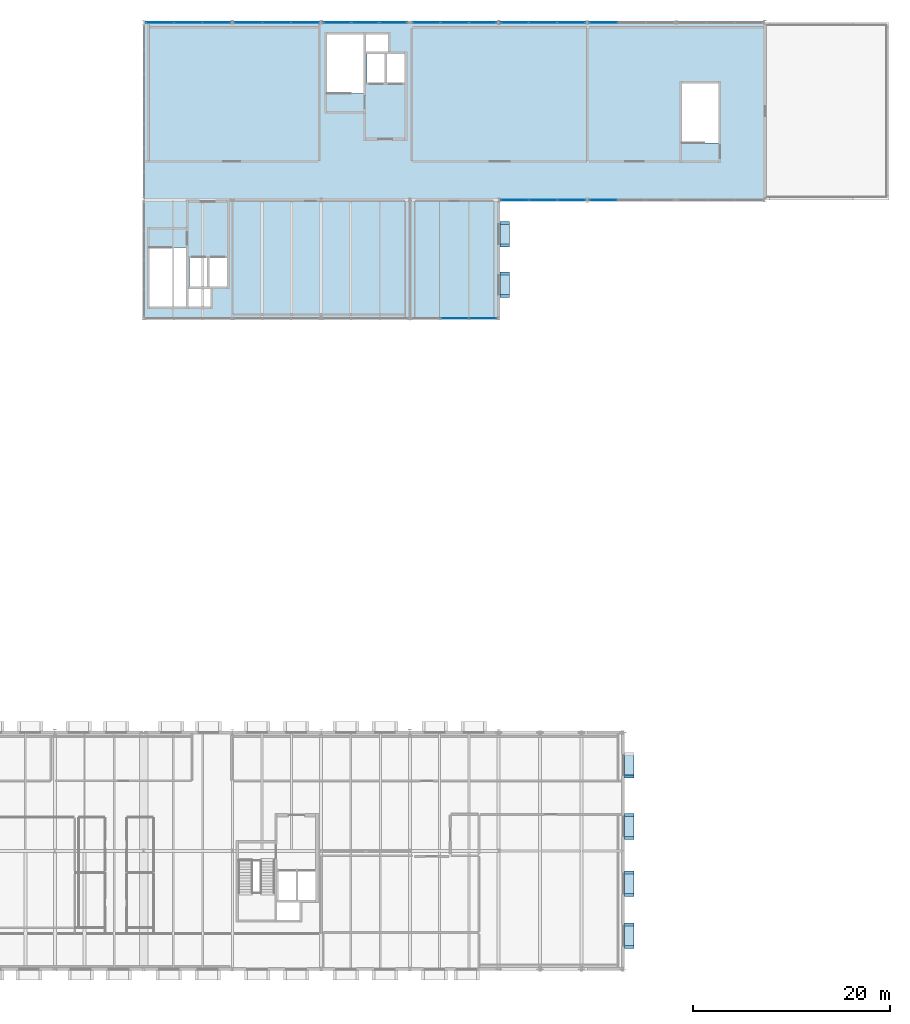
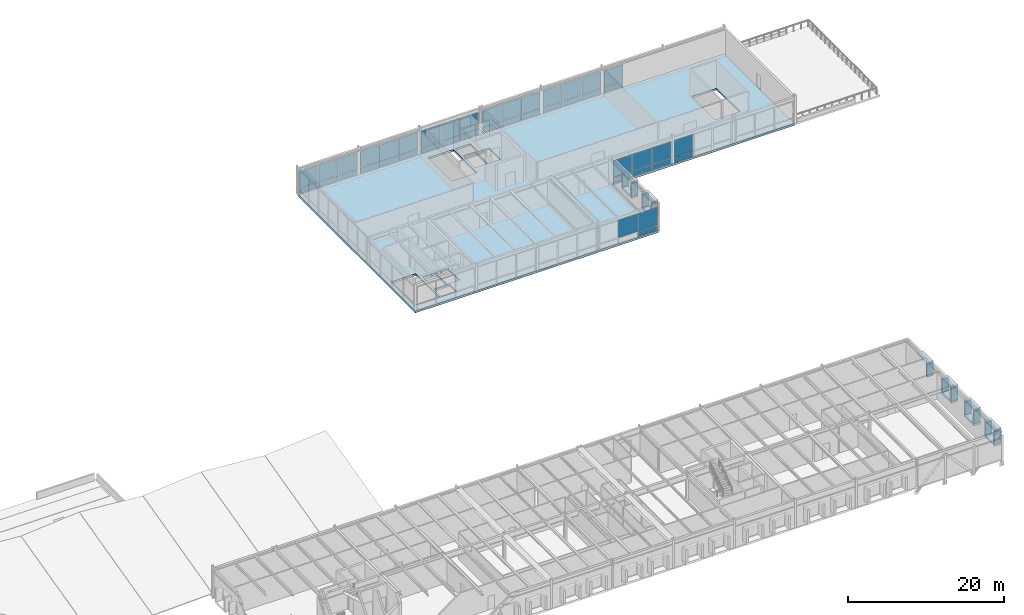
# One storey, part 44 of 67: 65 plates, 1 slab, 9 elements without a shape of their own.
"""IFC4 building model written with IfcOpenShell, lengths in metres."""

from ifc_helpers import new_model, si_unit, direction, frame, origin, origin_2d, place, context, subcontext, project, spatial, polyline, rectangle, outline, extrude, material, layer, layer_set, type_object, element, aggregate, save


model = new_model("IFC4")

# Units and contexts
model_context = context("Model", 3, precision=1e-05, world=origin(), true_north=direction((0.0, 1.0)))
body_context = subcontext(model_context, "Body", "Model", "MODEL_VIEW")
ifc_project = project(units=[si_unit("LENGTHUNIT", "METRE"), si_unit("AREAUNIT", "SQUARE_METRE"), si_unit("VOLUMEUNIT", "CUBIC_METRE"), si_unit("PLANEANGLEUNIT", "RADIAN"), si_unit("MASSUNIT", "GRAM", prefix="KILO")], contexts=[model_context])

# Site, building, storey
site_placement = place(None, origin())
site = spatial("IfcSite", under=ifc_project, at=site_placement, CompositionType="ELEMENT")
building_placement = place(site_placement, origin())
building = spatial("IfcBuilding", under=site, at=building_placement, Name="Montelvaro Courts of Justice", CompositionType="ELEMENT")
storey_placement = place(building_placement, frame((0.0, 0.0, 18.89990234375)))
storey = spatial("IfcBuildingStorey", under=building, at=storey_placement, Name="L04", CompositionType="ELEMENT", Elevation=18.89990234375)

# Curtain wall, plates
ifc_material_1 = material(Name="Anodised aluminium EN AW-6063", Category="aluminium")
ifc_layer_1 = layer(ifc_material_1, 0.159912109375)
ifc_layer_set_1 = layer_set([ifc_layer_1], Name="Anodised aluminium EN AW-6063")
curtain_wall_type_1 = type_object("IfcCurtainWallType", Name="CurtainWall_18_868x418", PredefinedType="USERDEFINED", material=ifc_layer_set_1)
curtain_wall_1_placement = place(storey_placement, origin())
curtain_wall_1 = element("IfcCurtainWall", 1, at=curtain_wall_1_placement, inside=storey, type_object=curtain_wall_type_1, Name="Curtain Wall CW-18 (L04)", ObjectType="CURTAIN WALL", PredefinedType="USERDEFINED")
ifc_material_2 = material(Name="Low-E solar control double glazing", Category="glass")
ifc_layer_2 = layer(ifc_material_2, 0.028076171875)
ifc_layer_set_2 = layer_set([ifc_layer_2], Name="Low-E solar control double glazing")
plate_type_1 = type_object("IfcPlateType", Name="CurtainWall_Glazed_Panel_28", PredefinedType="CURTAIN_PANEL", material=ifc_layer_set_2)
plate_1_placement = place(storey_placement, frame((130.5, 66.0, 0.987548828125), z_axis=(0.0, 0.0, 1.0), x_axis=(1.0, 0.0, 0.0)))
plate_1 = element("IfcPlate", 2, at=plate_1_placement, type_object=plate_type_1, Name="CW-18 panel 2.2", PredefinedType="CURTAIN_PANEL", context=body_context, shape_type="SweptSolid", body=[
    extrude(rectangle(XDim=2.83837890625, YDim=0.028076171875, at=origin_2d()), origin(), (0.0, 0.0, 1.0), 2.6923828125),
])
plate_2_placement = place(storey_placement, frame((133.386962890625, 66.0, 0.0751953125), z_axis=(0.0, 0.0, 1.0), x_axis=(1.0, 0.0, 0.0)))
plate_2 = element("IfcPlate", 3, at=plate_2_placement, type_object=plate_type_1, Name="CW-18 panel 3.1", PredefinedType="CURTAIN_PANEL", context=body_context, shape_type="SweptSolid", body=[
    extrude(rectangle(XDim=2.805908203125, YDim=0.028076171875, at=origin_2d()), origin(), (0.0, 0.0, 1.0), 0.83740234375),
])
plate_3_placement = place(storey_placement, frame((133.386962890625, 66.0, 0.987548828125), z_axis=(0.0, 0.0, 1.0), x_axis=(1.0, 0.0, 0.0)))
plate_3 = element("IfcPlate", 4, at=plate_3_placement, type_object=plate_type_1, Name="CW-18 panel 3.2", PredefinedType="CURTAIN_PANEL", context=body_context, shape_type="SweptSolid", body=[
    extrude(rectangle(XDim=2.805908203125, YDim=0.028076171875, at=origin_2d()), origin(), (0.0, 0.0, 1.0), 2.6923828125),
])
aggregate(curtain_wall_1, [plate_1, plate_2, plate_3])

ifc_layer_3 = layer(ifc_material_1, 0.159912109375)
ifc_layer_set_3 = layer_set([ifc_layer_3], Name="Anodised aluminium EN AW-6063")
curtain_wall_type_2 = type_object("IfcCurtainWallType", Name="CurtainWall_14_867x418", PredefinedType="USERDEFINED", material=ifc_layer_set_3)
curtain_wall_2_placement = place(storey_placement, origin())
curtain_wall_2 = element("IfcCurtainWall", 5, at=curtain_wall_2_placement, inside=storey, type_object=curtain_wall_type_2, Name="Curtain Wall CW-14 (L04)", ObjectType="CURTAIN WALL", PredefinedType="USERDEFINED")
plate_4_placement = place(storey_placement, frame((136.628662109375, 78.0, 0.0751953125), z_axis=(0.0, 0.0, 1.0), x_axis=(1.0, 0.0, 0.0)))
plate_4 = element("IfcPlate", 6, at=plate_4_placement, type_object=plate_type_1, Name="CW-14 panel 1.1", PredefinedType="CURTAIN_PANEL", context=body_context, shape_type="SweptSolid", body=[
    extrude(rectangle(XDim=2.777587890625, YDim=0.028076171875, at=origin_2d()), origin(), (0.0, 0.0, 1.0), 0.83740234375),
])
plate_5_placement = place(storey_placement, frame((136.628662109375, 78.0, 0.98779296875), z_axis=(0.0, 0.0, 1.0), x_axis=(1.0, 0.0, 0.0)))
plate_5 = element("IfcPlate", 7, at=plate_5_placement, type_object=plate_type_1, Name="CW-14 panel 1.2", PredefinedType="CURTAIN_PANEL", context=body_context, shape_type="SweptSolid", body=[
    extrude(rectangle(XDim=2.777587890625, YDim=0.028076171875, at=origin_2d()), origin(), (0.0, 0.0, 1.0), 2.532470703125),
])
plate_6_placement = place(storey_placement, frame((139.5, 78.0, 0.0751953125), z_axis=(0.0, 0.0, 1.0), x_axis=(1.0, 0.0, 0.0)))
plate_6 = element("IfcPlate", 8, at=plate_6_placement, type_object=plate_type_1, Name="CW-14 panel 2.1", PredefinedType="CURTAIN_PANEL", context=body_context, shape_type="SweptSolid", body=[
    extrude(rectangle(XDim=2.81494140625, YDim=0.028076171875, at=origin_2d()), origin(), (0.0, 0.0, 1.0), 0.83740234375),
])
plate_7_placement = place(storey_placement, frame((139.5, 78.0, 0.98779296875), z_axis=(0.0, 0.0, 1.0), x_axis=(1.0, 0.0, 0.0)))
plate_7 = element("IfcPlate", 9, at=plate_7_placement, type_object=plate_type_1, Name="CW-14 panel 2.2", PredefinedType="CURTAIN_PANEL", context=body_context, shape_type="SweptSolid", body=[
    extrude(rectangle(XDim=2.81494140625, YDim=0.028076171875, at=origin_2d()), origin(), (0.0, 0.0, 1.0), 2.532470703125),
])
plate_8_placement = place(storey_placement, frame((142.371337890625, 78.0, 0.0751953125), z_axis=(0.0, 0.0, 1.0), x_axis=(1.0, 0.0, 0.0)))
plate_8 = element("IfcPlate", 10, at=plate_8_placement, type_object=plate_type_1, Name="CW-14 panel 3.1", PredefinedType="CURTAIN_PANEL", context=body_context, shape_type="SweptSolid", body=[
    extrude(rectangle(XDim=2.777587890625, YDim=0.028076171875, at=origin_2d()), origin(), (0.0, 0.0, 1.0), 0.83740234375),
])
plate_9_placement = place(storey_placement, frame((142.371337890625, 78.0, 0.98779296875), z_axis=(0.0, 0.0, 1.0), x_axis=(1.0, 0.0, 0.0)))
plate_9 = element("IfcPlate", 11, at=plate_9_placement, type_object=plate_type_1, Name="CW-14 panel 3.2", PredefinedType="CURTAIN_PANEL", context=body_context, shape_type="SweptSolid", body=[
    extrude(rectangle(XDim=2.777587890625, YDim=0.028076171875, at=origin_2d()), origin(), (0.0, 0.0, 1.0), 2.532470703125),
])
aggregate(curtain_wall_2, [plate_4, plate_5, plate_6, plate_7, plate_8, plate_9])

ifc_layer_4 = layer(ifc_material_1, 0.159912109375)
ifc_layer_set_4 = layer_set([ifc_layer_4], Name="Anodised aluminium EN AW-6063")
curtain_wall_type_3 = type_object("IfcCurtainWallType", Name="CurtainWall_13_857x418", PredefinedType="USERDEFINED", material=ifc_layer_set_4)
curtain_wall_3_placement = place(storey_placement, origin())
curtain_wall_3 = element("IfcCurtainWall", 12, at=curtain_wall_3_placement, inside=storey, type_object=curtain_wall_type_3, Name="Curtain Wall CW-13 (L04)", ObjectType="CURTAIN WALL", PredefinedType="USERDEFINED")
plate_10_placement = place(storey_placement, frame((145.612060546875, 78.0, 0.06005859375), z_axis=(0.0, 0.0, 1.0), x_axis=(1.0, 0.0, 0.0)))
plate_10 = element("IfcPlate", 13, at=plate_10_placement, type_object=plate_type_1, Name="CW-13 panel 1.1", PredefinedType="CURTAIN_PANEL", context=body_context, shape_type="SweptSolid", body=[
    extrude(rectangle(XDim=2.744140625, YDim=0.028076171875, at=origin_2d()), origin(), (0.0, 0.0, 1.0), 0.860107421875),
])
plate_11_placement = place(storey_placement, frame((145.612060546875, 78.0, 0.97998046875), z_axis=(0.0, 0.0, 1.0), x_axis=(1.0, 0.0, 0.0)))
plate_11 = element("IfcPlate", 14, at=plate_11_placement, type_object=plate_type_1, Name="CW-13 panel 1.2", PredefinedType="CURTAIN_PANEL", context=body_context, shape_type="SweptSolid", body=[
    extrude(rectangle(XDim=2.744140625, YDim=0.028076171875, at=origin_2d()), origin(), (0.0, 0.0, 1.0), 2.554931640625),
])
aggregate(curtain_wall_3, [plate_10, plate_11])

curtain_wall_4_placement = place(storey_placement, origin())
curtain_wall_4 = element("IfcCurtainWall", 15, at=curtain_wall_4_placement, inside=storey, type_object=curtain_wall_type_2, Name="Curtain Wall CW-14 (L04)", ObjectType="CURTAIN WALL", PredefinedType="USERDEFINED")
plate_12_placement = place(storey_placement, frame((145.625, 96.0, 0.0751953125), z_axis=(0.0, 0.0, 1.0), x_axis=(-1.0, 0.0, 0.0)))
plate_12 = element("IfcPlate", 16, at=plate_12_placement, type_object=plate_type_1, Name="CW-14 panel 3.1", PredefinedType="CURTAIN_PANEL", context=body_context, shape_type="SweptSolid", body=[
    extrude(rectangle(XDim=2.800048828125, YDim=0.028076171875, at=origin_2d()), origin(), (0.0, 0.0, 1.0), 0.83740234375),
])
plate_13_placement = place(storey_placement, frame((145.625, 96.0, 0.98779296875), z_axis=(0.0, 0.0, 1.0), x_axis=(-1.0, 0.0, 0.0)))
plate_13 = element("IfcPlate", 17, at=plate_13_placement, type_object=plate_type_1, Name="CW-14 panel 3.2", PredefinedType="CURTAIN_PANEL", context=body_context, shape_type="SweptSolid", body=[
    extrude(rectangle(XDim=2.800048828125, YDim=0.028076171875, at=origin_2d()), origin(), (0.0, 0.0, 1.0), 2.532470703125),
])
aggregate(curtain_wall_4, [plate_12, plate_13])

curtain_wall_5_placement = place(storey_placement, origin())
curtain_wall_5 = element("IfcCurtainWall", 18, at=curtain_wall_5_placement, inside=storey, type_object=curtain_wall_type_2, Name="Curtain Wall CW-14 (L04)", ObjectType="CURTAIN WALL", PredefinedType="USERDEFINED")
plate_14_placement = place(storey_placement, frame((142.373779296875, 96.0, 0.0751953125), z_axis=(0.0, 0.0, 1.0), x_axis=(-1.0, 0.0, 0.0)))
plate_14 = element("IfcPlate", 19, at=plate_14_placement, type_object=plate_type_1, Name="CW-14 panel 1.1", PredefinedType="CURTAIN_PANEL", context=body_context, shape_type="SweptSolid", body=[
    extrude(rectangle(XDim=2.79248046875, YDim=0.028076171875, at=origin_2d()), origin(), (0.0, 0.0, 1.0), 0.83740234375),
])
plate_15_placement = place(storey_placement, frame((142.373779296875, 96.0, 0.98779296875), z_axis=(0.0, 0.0, 1.0), x_axis=(-1.0, 0.0, 0.0)))
plate_15 = element("IfcPlate", 20, at=plate_15_placement, type_object=plate_type_1, Name="CW-14 panel 1.2", PredefinedType="CURTAIN_PANEL", context=body_context, shape_type="SweptSolid", body=[
    extrude(rectangle(XDim=2.79248046875, YDim=0.028076171875, at=origin_2d()), origin(), (0.0, 0.0, 1.0), 2.532470703125),
])
plate_16_placement = place(storey_placement, frame((139.5, 96.0, 0.0751953125), z_axis=(0.0, 0.0, 1.0), x_axis=(-1.0, 0.0, 0.0)))
plate_16 = element("IfcPlate", 21, at=plate_16_placement, type_object=plate_type_1, Name="CW-14 panel 2.1", PredefinedType="CURTAIN_PANEL", context=body_context, shape_type="SweptSolid", body=[
    extrude(rectangle(XDim=2.824951171875, YDim=0.028076171875, at=origin_2d()), origin(), (0.0, 0.0, 1.0), 0.83740234375),
])
plate_17_placement = place(storey_placement, frame((139.5, 96.0, 0.98779296875), z_axis=(0.0, 0.0, 1.0), x_axis=(-1.0, 0.0, 0.0)))
plate_17 = element("IfcPlate", 22, at=plate_17_placement, type_object=plate_type_1, Name="CW-14 panel 2.2", PredefinedType="CURTAIN_PANEL", context=body_context, shape_type="SweptSolid", body=[
    extrude(rectangle(XDim=2.824951171875, YDim=0.028076171875, at=origin_2d()), origin(), (0.0, 0.0, 1.0), 2.532470703125),
])
plate_18_placement = place(storey_placement, frame((136.626220703125, 96.0, 0.0751953125), z_axis=(0.0, 0.0, 1.0), x_axis=(-1.0, 0.0, 0.0)))
plate_18 = element("IfcPlate", 23, at=plate_18_placement, type_object=plate_type_1, Name="CW-14 panel 3.1", PredefinedType="CURTAIN_PANEL", context=body_context, shape_type="SweptSolid", body=[
    extrude(rectangle(XDim=2.79248046875, YDim=0.028076171875, at=origin_2d()), origin(), (0.0, 0.0, 1.0), 0.83740234375),
])
plate_19_placement = place(storey_placement, frame((136.626220703125, 96.0, 0.98779296875), z_axis=(0.0, 0.0, 1.0), x_axis=(-1.0, 0.0, 0.0)))
plate_19 = element("IfcPlate", 24, at=plate_19_placement, type_object=plate_type_1, Name="CW-14 panel 3.2", PredefinedType="CURTAIN_PANEL", context=body_context, shape_type="SweptSolid", body=[
    extrude(rectangle(XDim=2.79248046875, YDim=0.028076171875, at=origin_2d()), origin(), (0.0, 0.0, 1.0), 2.532470703125),
])
aggregate(curtain_wall_5, [plate_14, plate_15, plate_16, plate_17, plate_18, plate_19])

ifc_layer_5 = layer(ifc_material_1, 0.159912109375)
ifc_layer_set_5 = layer_set([ifc_layer_5], Name="Anodised aluminium EN AW-6063")
curtain_wall_type_4 = type_object("IfcCurtainWallType", Name="CurtainWall_17_861x418", PredefinedType="USERDEFINED", material=ifc_layer_set_5)
curtain_wall_6_placement = place(storey_placement, origin())
curtain_wall_6 = element("IfcCurtainWall", 25, at=curtain_wall_6_placement, inside=storey, type_object=curtain_wall_type_4, Name="Curtain Wall CW-17 (L04)", ObjectType="CURTAIN WALL", PredefinedType="USERDEFINED")
plate_20_placement = place(storey_placement, frame((133.3837890625, 96.0, 0.06005859375), z_axis=(0.0, 0.0, 1.0), x_axis=(-1.0, 0.0, 0.0)))
plate_20 = element("IfcPlate", 26, at=plate_20_placement, type_object=plate_type_1, Name="CW-17 panel 1.1", PredefinedType="CURTAIN_PANEL", context=body_context, shape_type="SweptSolid", body=[
    extrude(rectangle(XDim=2.75244140625, YDim=0.028076171875, at=origin_2d()), origin(), (0.0, 0.0, 1.0), 0.860107421875),
])
plate_21_placement = place(storey_placement, frame((133.3837890625, 96.0, 0.97998046875), z_axis=(0.0, 0.0, 1.0), x_axis=(-1.0, 0.0, 0.0)))
plate_21 = element("IfcPlate", 27, at=plate_21_placement, type_object=plate_type_1, Name="CW-17 panel 1.2", PredefinedType="CURTAIN_PANEL", context=body_context, shape_type="SweptSolid", body=[
    extrude(rectangle(XDim=2.75244140625, YDim=0.028076171875, at=origin_2d()), origin(), (0.0, 0.0, 1.0), 2.554931640625),
])
plate_22_placement = place(storey_placement, frame((130.53759765625, 96.0, 0.06005859375), z_axis=(0.0, 0.0, 1.0), x_axis=(-1.0, 0.0, 0.0)))
plate_22 = element("IfcPlate", 28, at=plate_22_placement, type_object=plate_type_1, Name="CW-17 panel 2.1", PredefinedType="CURTAIN_PANEL", context=body_context, shape_type="SweptSolid", body=[
    extrude(rectangle(XDim=2.7900390625, YDim=0.028076171875, at=origin_2d()), origin(), (0.0, 0.0, 1.0), 0.860107421875),
])
plate_23_placement = place(storey_placement, frame((130.53759765625, 96.0, 0.97998046875), z_axis=(0.0, 0.0, 1.0), x_axis=(-1.0, 0.0, 0.0)))
plate_23 = element("IfcPlate", 29, at=plate_23_placement, type_object=plate_type_1, Name="CW-17 panel 2.2", PredefinedType="CURTAIN_PANEL", context=body_context, shape_type="SweptSolid", body=[
    extrude(rectangle(XDim=2.7900390625, YDim=0.028076171875, at=origin_2d()), origin(), (0.0, 0.0, 1.0), 2.554931640625),
])
plate_24_placement = place(storey_placement, frame((127.691162109375, 96.0, 0.06005859375), z_axis=(0.0, 0.0, 1.0), x_axis=(-1.0, 0.0, 0.0)))
plate_24 = element("IfcPlate", 30, at=plate_24_placement, type_object=plate_type_1, Name="CW-17 panel 3.1", PredefinedType="CURTAIN_PANEL", context=body_context, shape_type="SweptSolid", body=[
    extrude(rectangle(XDim=2.75244140625, YDim=0.028076171875, at=origin_2d()), origin(), (0.0, 0.0, 1.0), 0.860107421875),
])
plate_25_placement = place(storey_placement, frame((127.691162109375, 96.0, 0.97998046875), z_axis=(0.0, 0.0, 1.0), x_axis=(-1.0, 0.0, 0.0)))
plate_25 = element("IfcPlate", 31, at=plate_25_placement, type_object=plate_type_1, Name="CW-17 panel 3.2", PredefinedType="CURTAIN_PANEL", context=body_context, shape_type="SweptSolid", body=[
    extrude(rectangle(XDim=2.75244140625, YDim=0.028076171875, at=origin_2d()), origin(), (0.0, 0.0, 1.0), 2.554931640625),
])
aggregate(curtain_wall_6, [plate_20, plate_21, plate_22, plate_23, plate_24, plate_25])

curtain_wall_7_placement = place(storey_placement, origin())
curtain_wall_7 = element("IfcCurtainWall", 32, at=curtain_wall_7_placement, inside=storey, type_object=curtain_wall_type_4, Name="Curtain Wall CW-17 (L04)", ObjectType="CURTAIN WALL", PredefinedType="USERDEFINED")
plate_26_placement = place(storey_placement, frame((124.308837890625, 96.0, 0.06005859375), z_axis=(0.0, 0.0, 1.0), x_axis=(-1.0, 0.0, 0.0)))
plate_26 = element("IfcPlate", 33, at=plate_26_placement, type_object=plate_type_1, Name="CW-17 panel 1.1", PredefinedType="CURTAIN_PANEL", context=body_context, shape_type="SweptSolid", body=[
    extrude(rectangle(XDim=2.75244140625, YDim=0.028076171875, at=origin_2d()), origin(), (0.0, 0.0, 1.0), 0.860107421875),
])
plate_27_placement = place(storey_placement, frame((124.308837890625, 96.0, 0.97998046875), z_axis=(0.0, 0.0, 1.0), x_axis=(-1.0, 0.0, 0.0)))
plate_27 = element("IfcPlate", 34, at=plate_27_placement, type_object=plate_type_1, Name="CW-17 panel 1.2", PredefinedType="CURTAIN_PANEL", context=body_context, shape_type="SweptSolid", body=[
    extrude(rectangle(XDim=2.75244140625, YDim=0.028076171875, at=origin_2d()), origin(), (0.0, 0.0, 1.0), 2.554931640625),
])
plate_28_placement = place(storey_placement, frame((121.46240234375, 96.0, 0.06005859375), z_axis=(0.0, 0.0, 1.0), x_axis=(-1.0, 0.0, 0.0)))
plate_28 = element("IfcPlate", 35, at=plate_28_placement, type_object=plate_type_1, Name="CW-17 panel 2.1", PredefinedType="CURTAIN_PANEL", context=body_context, shape_type="SweptSolid", body=[
    extrude(rectangle(XDim=2.7900390625, YDim=0.028076171875, at=origin_2d()), origin(), (0.0, 0.0, 1.0), 0.860107421875),
])
plate_29_placement = place(storey_placement, frame((121.46240234375, 96.0, 0.97998046875), z_axis=(0.0, 0.0, 1.0), x_axis=(-1.0, 0.0, 0.0)))
plate_29 = element("IfcPlate", 36, at=plate_29_placement, type_object=plate_type_1, Name="CW-17 panel 2.2", PredefinedType="CURTAIN_PANEL", context=body_context, shape_type="SweptSolid", body=[
    extrude(rectangle(XDim=2.7900390625, YDim=0.028076171875, at=origin_2d()), origin(), (0.0, 0.0, 1.0), 2.554931640625),
])
plate_30_placement = place(storey_placement, frame((118.6162109375, 96.0, 0.06005859375), z_axis=(0.0, 0.0, 1.0), x_axis=(-1.0, 0.0, 0.0)))
plate_30 = element("IfcPlate", 37, at=plate_30_placement, type_object=plate_type_1, Name="CW-17 panel 3.1", PredefinedType="CURTAIN_PANEL", context=body_context, shape_type="SweptSolid", body=[
    extrude(rectangle(XDim=2.75244140625, YDim=0.028076171875, at=origin_2d()), origin(), (0.0, 0.0, 1.0), 0.860107421875),
])
plate_31_placement = place(storey_placement, frame((118.6162109375, 96.0, 0.97998046875), z_axis=(0.0, 0.0, 1.0), x_axis=(-1.0, 0.0, 0.0)))
plate_31 = element("IfcPlate", 38, at=plate_31_placement, type_object=plate_type_1, Name="CW-17 panel 3.2", PredefinedType="CURTAIN_PANEL", context=body_context, shape_type="SweptSolid", body=[
    extrude(rectangle(XDim=2.75244140625, YDim=0.028076171875, at=origin_2d()), origin(), (0.0, 0.0, 1.0), 2.554931640625),
])
aggregate(curtain_wall_7, [plate_26, plate_27, plate_28, plate_29, plate_30, plate_31])

curtain_wall_8_placement = place(storey_placement, origin())
curtain_wall_8 = element("IfcCurtainWall", 39, at=curtain_wall_8_placement, inside=storey, type_object=curtain_wall_type_2, Name="Curtain Wall CW-14 (L04)", ObjectType="CURTAIN WALL", PredefinedType="USERDEFINED")
plate_32_placement = place(storey_placement, frame((115.375, 96.0, 0.06005859375), z_axis=(0.0, 0.0, 1.0), x_axis=(-1.0, 0.0, 0.0)))
plate_32 = element("IfcPlate", 40, at=plate_32_placement, type_object=plate_type_1, Name="CW-14 panel 1.1", PredefinedType="CURTAIN_PANEL", context=body_context, shape_type="SweptSolid", body=[
    extrude(rectangle(XDim=2.800048828125, YDim=0.028076171875, at=origin_2d()), origin(), (0.0, 0.0, 1.0), 0.860107421875),
])
plate_33_placement = place(storey_placement, frame((115.375, 96.0, 0.97998046875), z_axis=(0.0, 0.0, 1.0), x_axis=(-1.0, 0.0, 0.0)))
plate_33 = element("IfcPlate", 41, at=plate_33_placement, type_object=plate_type_1, Name="CW-14 panel 1.2", PredefinedType="CURTAIN_PANEL", context=body_context, shape_type="SweptSolid", body=[
    extrude(rectangle(XDim=2.800048828125, YDim=0.028076171875, at=origin_2d()), origin(), (0.0, 0.0, 1.0), 2.554931640625),
])
plate_34_placement = place(storey_placement, frame((112.5, 96.0, 0.06005859375), z_axis=(0.0, 0.0, 1.0), x_axis=(-1.0, 0.0, 0.0)))
plate_34 = element("IfcPlate", 42, at=plate_34_placement, type_object=plate_type_1, Name="CW-14 panel 2.1", PredefinedType="CURTAIN_PANEL", context=body_context, shape_type="SweptSolid", body=[
    extrude(rectangle(XDim=2.830078125, YDim=0.028076171875, at=origin_2d()), origin(), (0.0, 0.0, 1.0), 0.860107421875),
])
plate_35_placement = place(storey_placement, frame((112.5, 96.0, 0.97998046875), z_axis=(0.0, 0.0, 1.0), x_axis=(-1.0, 0.0, 0.0)))
plate_35 = element("IfcPlate", 43, at=plate_35_placement, type_object=plate_type_1, Name="CW-14 panel 2.2", PredefinedType="CURTAIN_PANEL", context=body_context, shape_type="SweptSolid", body=[
    extrude(rectangle(XDim=2.830078125, YDim=0.028076171875, at=origin_2d()), origin(), (0.0, 0.0, 1.0), 2.554931640625),
])
plate_36_placement = place(storey_placement, frame((109.625, 96.0, 0.06005859375), z_axis=(0.0, 0.0, 1.0), x_axis=(-1.0, 0.0, 0.0)))
plate_36 = element("IfcPlate", 44, at=plate_36_placement, type_object=plate_type_1, Name="CW-14 panel 3.1", PredefinedType="CURTAIN_PANEL", context=body_context, shape_type="SweptSolid", body=[
    extrude(rectangle(XDim=2.800048828125, YDim=0.028076171875, at=origin_2d()), origin(), (0.0, 0.0, 1.0), 0.860107421875),
])
plate_37_placement = place(storey_placement, frame((109.625, 96.0, 0.97998046875), z_axis=(0.0, 0.0, 1.0), x_axis=(-1.0, 0.0, 0.0)))
plate_37 = element("IfcPlate", 45, at=plate_37_placement, type_object=plate_type_1, Name="CW-14 panel 3.2", PredefinedType="CURTAIN_PANEL", context=body_context, shape_type="SweptSolid", body=[
    extrude(rectangle(XDim=2.800048828125, YDim=0.028076171875, at=origin_2d()), origin(), (0.0, 0.0, 1.0), 2.554931640625),
])
aggregate(curtain_wall_8, [plate_32, plate_33, plate_34, plate_35, plate_36, plate_37])

curtain_wall_9_placement = place(storey_placement, origin())
curtain_wall_9 = element("IfcCurtainWall", 46, at=curtain_wall_9_placement, inside=storey, type_object=curtain_wall_type_4, Name="Curtain Wall CW-17 (L04)", ObjectType="CURTAIN WALL", PredefinedType="USERDEFINED")
plate_38_placement = place(storey_placement, frame((106.38330078125, 96.0, 0.0751953125), z_axis=(0.0, 0.0, 1.0), x_axis=(-1.0, 0.0, 0.0)))
plate_38 = element("IfcPlate", 47, at=plate_38_placement, type_object=plate_type_1, Name="CW-17 panel 1.1", PredefinedType="CURTAIN_PANEL", context=body_context, shape_type="SweptSolid", body=[
    extrude(rectangle(XDim=2.783447265625, YDim=0.028076171875, at=origin_2d()), origin(), (0.0, 0.0, 1.0), 0.83740234375),
])
plate_39_placement = place(storey_placement, frame((106.38330078125, 96.0, 0.98779296875), z_axis=(0.0, 0.0, 1.0), x_axis=(-1.0, 0.0, 0.0)))
plate_39 = element("IfcPlate", 48, at=plate_39_placement, type_object=plate_type_1, Name="CW-17 panel 1.2", PredefinedType="CURTAIN_PANEL", context=body_context, shape_type="SweptSolid", body=[
    extrude(rectangle(XDim=2.783447265625, YDim=0.028076171875, at=origin_2d()), origin(), (0.0, 0.0, 1.0), 2.532470703125),
])
plate_40_placement = place(storey_placement, frame((103.52490234375, 96.0, 0.0751953125), z_axis=(0.0, 0.0, 1.0), x_axis=(-1.0, 0.0, 0.0)))
plate_40 = element("IfcPlate", 49, at=plate_40_placement, type_object=plate_type_1, Name="CW-17 panel 2.1", PredefinedType="CURTAIN_PANEL", context=body_context, shape_type="SweptSolid", body=[
    extrude(rectangle(XDim=2.813232421875, YDim=0.028076171875, at=origin_2d()), origin(), (0.0, 0.0, 1.0), 0.83740234375),
])
plate_41_placement = place(storey_placement, frame((103.52490234375, 96.0, 0.98779296875), z_axis=(0.0, 0.0, 1.0), x_axis=(-1.0, 0.0, 0.0)))
plate_41 = element("IfcPlate", 50, at=plate_41_placement, type_object=plate_type_1, Name="CW-17 panel 2.2", PredefinedType="CURTAIN_PANEL", context=body_context, shape_type="SweptSolid", body=[
    extrude(rectangle(XDim=2.813232421875, YDim=0.028076171875, at=origin_2d()), origin(), (0.0, 0.0, 1.0), 2.532470703125),
])
plate_42_placement = place(storey_placement, frame((100.666748046875, 96.0, 0.0751953125), z_axis=(0.0, 0.0, 1.0), x_axis=(-1.0, 0.0, 0.0)))
plate_42 = element("IfcPlate", 51, at=plate_42_placement, type_object=plate_type_1, Name="CW-17 panel 3.1", PredefinedType="CURTAIN_PANEL", context=body_context, shape_type="SweptSolid", body=[
    extrude(rectangle(XDim=2.783447265625, YDim=0.028076171875, at=origin_2d()), origin(), (0.0, 0.0, 1.0), 0.83740234375),
])
plate_43_placement = place(storey_placement, frame((100.666748046875, 96.0, 0.98779296875), z_axis=(0.0, 0.0, 1.0), x_axis=(-1.0, 0.0, 0.0)))
plate_43 = element("IfcPlate", 52, at=plate_43_placement, type_object=plate_type_1, Name="CW-17 panel 3.2", PredefinedType="CURTAIN_PANEL", context=body_context, shape_type="SweptSolid", body=[
    extrude(rectangle(XDim=2.783447265625, YDim=0.028076171875, at=origin_2d()), origin(), (0.0, 0.0, 1.0), 2.532470703125),
])
aggregate(curtain_wall_9, [plate_38, plate_39, plate_40, plate_41, plate_42, plate_43])

# Slab
ifc_material_3 = material(Name="Concrete C35/45", Category="concrete")
ifc_layer_6 = layer(ifc_material_3, 0.300048828125)
ifc_layer_set_6 = layer_set([ifc_layer_6], Name="Concrete C35/45")
slab_type = type_object("IfcSlabType", Name="FloorSlab_300", PredefinedType="FLOOR", material=ifc_layer_set_6)
slab_placement = place(storey_placement, frame((0.0, 0.0, -0.2998046875)))
element("IfcSlab", 53, at=slab_placement, inside=storey, type_object=slab_type, Name="Structural Slab SF-02 L04", PredefinedType="FLOOR", context=body_context, shape_type="SweptSolid", body=[
    extrude(outline(polyline([(99.050048828125, 66.0), (135.0, 66.0), (135.0, 78.0), (162.0, 78.0), (162.0, 96.0), (99.050048828125, 96.0), (99.050048828125, 66.0)]), holes=[polyline([(117.60009765625, 88.800048828125), (121.300048828125, 88.800048828125), (121.300048828125, 94.800048828125), (117.60009765625, 94.800048828125), (117.60009765625, 88.800048828125)]), polyline([(121.5400390625, 93.0400390625), (123.800048828125, 93.0400390625), (123.800048828125, 94.800048828125), (121.5400390625, 94.800048828125), (121.5400390625, 93.0400390625)]), polyline([(121.64990234375, 89.89990234375), (123.5, 89.89990234375), (123.5, 92.800048828125), (121.64990234375, 92.800048828125), (121.64990234375, 89.89990234375)]), polyline([(123.60009765625, 89.89990234375), (125.449951171875, 89.89990234375), (125.449951171875, 92.800048828125), (123.60009765625, 92.800048828125), (123.60009765625, 89.89990234375)]), polyline([(99.60009765625, 67.199951171875), (103.300048828125, 67.199951171875), (103.300048828125, 73.199951171875), (99.60009765625, 73.199951171875), (99.60009765625, 67.199951171875)]), polyline([(103.5400390625, 67.199951171875), (105.800048828125, 67.199951171875), (105.800048828125, 68.9599609375), (103.5400390625, 68.9599609375), (103.5400390625, 67.199951171875)]), polyline([(103.64990234375, 69.199951171875), (105.5, 69.199951171875), (105.5, 72.10009765625), (103.64990234375, 72.10009765625), (103.64990234375, 69.199951171875)]), polyline([(105.60009765625, 69.199951171875), (107.449951171875, 69.199951171875), (107.449951171875, 72.10009765625), (105.60009765625, 72.10009765625), (105.60009765625, 69.199951171875)]), polyline([(153.60009765625, 83.800048828125), (157.300048828125, 83.800048828125), (157.300048828125, 89.800048828125), (153.60009765625, 89.800048828125), (153.60009765625, 83.800048828125)])]), origin(), (0.0, 0.0, 1.0), 0.2998046875),
])

# Plates
ifc_material_4 = material(Name="White mineral precast concrete C45/55", Category="concrete")
ifc_layer_7 = layer(ifc_material_4, 0.300048828125)
ifc_layer_set_7 = layer_set([ifc_layer_7], Name="White mineral precast concrete C45/55")
plate_type_2 = type_object("IfcPlateType", Name="PrecastSquareFrame_300x950", PredefinedType="SHEET", material=ifc_layer_set_7)
for number, where, z_axis, x_axis, name in (
    (54, (135.6201171875, 69.389892578125, 2.85009765625), (0.0, 0.0, 1.0), (0.0, 1.0, 0.0), "Graduated Square Window Frame PF-02 W-L04-187 TOP"),
    (55, (135.6201171875, 69.389892578125, 0.55029296875), (0.0, 0.0, 1.0), (0.0, 1.0, 0.0), "Graduated Square Window Frame PF-02 W-L04-187 BOT"),
):
    element("IfcPlate", number, at=place(storey_placement, frame(where, z_axis=z_axis, x_axis=x_axis)), inside=storey, type_object=plate_type_2, Name=name, PredefinedType="SHEET", context=body_context, shape_type="SweptSolid", body=[
        extrude(rectangle(XDim=2.60009765625, YDim=0.9599609375, at=origin_2d()), origin(), (0.0, 0.0, 1.0), 0.300048828125),
    ])
for number, where, z_axis, x_axis, name in (
    (56, (135.6201171875, 68.239990234375, 0.85009765625), (0.0, 0.0, 1.0), (0.0, 1.0, 0.0), "Graduated Square Window Frame PF-02 W-L04-187 L"),
    (57, (135.6201171875, 70.5400390625, 0.85009765625), (0.0, 0.0, 1.0), (0.0, 1.0, 0.0), "Graduated Square Window Frame PF-02 W-L04-187 R"),
):
    element("IfcPlate", number, at=place(storey_placement, frame(where, z_axis=z_axis, x_axis=x_axis)), inside=storey, type_object=plate_type_2, Name=name, PredefinedType="SHEET", context=body_context, shape_type="SweptSolid", body=[
        extrude(rectangle(XDim=0.300048828125, YDim=0.9599609375, at=origin_2d()), origin(), (0.0, 0.0, 1.0), 2.0),
    ])
for number, where, z_axis, x_axis, name in (
    (58, (135.6201171875, 74.514892578125, 2.85009765625), (0.0, 0.0, 1.0), (0.0, 1.0, 0.0), "Graduated Square Window Frame PF-02 W-L04-188 TOP"),
    (59, (135.6201171875, 74.514892578125, 0.55029296875), (0.0, 0.0, 1.0), (0.0, 1.0, 0.0), "Graduated Square Window Frame PF-02 W-L04-188 BOT"),
):
    element("IfcPlate", number, at=place(storey_placement, frame(where, z_axis=z_axis, x_axis=x_axis)), inside=storey, type_object=plate_type_2, Name=name, PredefinedType="SHEET", context=body_context, shape_type="SweptSolid", body=[
        extrude(rectangle(XDim=2.60009765625, YDim=0.9599609375, at=origin_2d()), origin(), (0.0, 0.0, 1.0), 0.300048828125),
    ])
for number, where, z_axis, x_axis, name in (
    (60, (135.6201171875, 73.364990234375, 0.85009765625), (0.0, 0.0, 1.0), (0.0, 1.0, 0.0), "Graduated Square Window Frame PF-02 W-L04-188 L"),
    (61, (135.6201171875, 75.6650390625, 0.85009765625), (0.0, 0.0, 1.0), (0.0, 1.0, 0.0), "Graduated Square Window Frame PF-02 W-L04-188 R"),
):
    element("IfcPlate", number, at=place(storey_placement, frame(where, z_axis=z_axis, x_axis=x_axis)), inside=storey, type_object=plate_type_2, Name=name, PredefinedType="SHEET", context=body_context, shape_type="SweptSolid", body=[
        extrude(rectangle(XDim=0.300048828125, YDim=0.9599609375, at=origin_2d()), origin(), (0.0, 0.0, 1.0), 2.0),
    ])
for number, where, z_axis, x_axis, name in (
    (62, (148.219970703125, 3.39208984375, 2.85009765625), (0.0, 0.0, 1.0), (0.0, 1.0, 0.0), "Graduated Square Window Frame PF-02 W-L04-225 TOP"),
    (63, (148.219970703125, 3.39208984375, 0.55029296875), (0.0, 0.0, 1.0), (0.0, 1.0, 0.0), "Graduated Square Window Frame PF-02 W-L04-225 BOT"),
):
    element("IfcPlate", number, at=place(storey_placement, frame(where, z_axis=z_axis, x_axis=x_axis)), inside=storey, type_object=plate_type_2, Name=name, PredefinedType="SHEET", context=body_context, shape_type="SweptSolid", body=[
        extrude(rectangle(XDim=2.60009765625, YDim=0.9599609375, at=origin_2d()), origin(), (0.0, 0.0, 1.0), 0.300048828125),
    ])
for number, where, z_axis, x_axis, name in (
    (64, (148.219970703125, 2.241943359375, 0.85009765625), (0.0, 0.0, 1.0), (0.0, 1.0, 0.0), "Graduated Square Window Frame PF-02 W-L04-225 L"),
    (65, (148.219970703125, 4.5419921875, 0.85009765625), (0.0, 0.0, 1.0), (0.0, 1.0, 0.0), "Graduated Square Window Frame PF-02 W-L04-225 R"),
):
    element("IfcPlate", number, at=place(storey_placement, frame(where, z_axis=z_axis, x_axis=x_axis)), inside=storey, type_object=plate_type_2, Name=name, PredefinedType="SHEET", context=body_context, shape_type="SweptSolid", body=[
        extrude(rectangle(XDim=0.300048828125, YDim=0.9599609375, at=origin_2d()), origin(), (0.0, 0.0, 1.0), 2.0),
    ])
for number, where, z_axis, x_axis, name in (
    (66, (148.219970703125, 8.657958984375, 2.85009765625), (0.0, 0.0, 1.0), (0.0, 1.0, 0.0), "Graduated Square Window Frame PF-02 W-L04-226 TOP"),
    (67, (148.219970703125, 8.657958984375, 0.55029296875), (0.0, 0.0, 1.0), (0.0, 1.0, 0.0), "Graduated Square Window Frame PF-02 W-L04-226 BOT"),
):
    element("IfcPlate", number, at=place(storey_placement, frame(where, z_axis=z_axis, x_axis=x_axis)), inside=storey, type_object=plate_type_2, Name=name, PredefinedType="SHEET", context=body_context, shape_type="SweptSolid", body=[
        extrude(rectangle(XDim=2.60009765625, YDim=0.9599609375, at=origin_2d()), origin(), (0.0, 0.0, 1.0), 0.300048828125),
    ])
for number, where, z_axis, x_axis, name in (
    (68, (148.219970703125, 7.508056640625, 0.85009765625), (0.0, 0.0, 1.0), (0.0, 1.0, 0.0), "Graduated Square Window Frame PF-02 W-L04-226 L"),
    (69, (148.219970703125, 9.80810546875, 0.85009765625), (0.0, 0.0, 1.0), (0.0, 1.0, 0.0), "Graduated Square Window Frame PF-02 W-L04-226 R"),
):
    element("IfcPlate", number, at=place(storey_placement, frame(where, z_axis=z_axis, x_axis=x_axis)), inside=storey, type_object=plate_type_2, Name=name, PredefinedType="SHEET", context=body_context, shape_type="SweptSolid", body=[
        extrude(rectangle(XDim=0.300048828125, YDim=0.9599609375, at=origin_2d()), origin(), (0.0, 0.0, 1.0), 2.0),
    ])
for number, where, z_axis, x_axis, name in (
    (70, (148.219970703125, 14.4599609375, 2.85009765625), (0.0, 0.0, 1.0), (0.0, 1.0, 0.0), "Graduated Square Window Frame PF-02 W-L04-227 TOP"),
    (71, (148.219970703125, 14.4599609375, 0.55029296875), (0.0, 0.0, 1.0), (0.0, 1.0, 0.0), "Graduated Square Window Frame PF-02 W-L04-227 BOT"),
):
    element("IfcPlate", number, at=place(storey_placement, frame(where, z_axis=z_axis, x_axis=x_axis)), inside=storey, type_object=plate_type_2, Name=name, PredefinedType="SHEET", context=body_context, shape_type="SweptSolid", body=[
        extrude(rectangle(XDim=2.60009765625, YDim=0.9599609375, at=origin_2d()), origin(), (0.0, 0.0, 1.0), 0.300048828125),
    ])
for number, where, z_axis, x_axis, name in (
    (72, (148.219970703125, 13.31005859375, 0.85009765625), (0.0, 0.0, 1.0), (0.0, 1.0, 0.0), "Graduated Square Window Frame PF-02 W-L04-227 L"),
    (73, (148.219970703125, 15.610107421875, 0.85009765625), (0.0, 0.0, 1.0), (0.0, 1.0, 0.0), "Graduated Square Window Frame PF-02 W-L04-227 R"),
):
    element("IfcPlate", number, at=place(storey_placement, frame(where, z_axis=z_axis, x_axis=x_axis)), inside=storey, type_object=plate_type_2, Name=name, PredefinedType="SHEET", context=body_context, shape_type="SweptSolid", body=[
        extrude(rectangle(XDim=0.300048828125, YDim=0.9599609375, at=origin_2d()), origin(), (0.0, 0.0, 1.0), 2.0),
    ])
plate_44_placement = place(storey_placement, frame((148.219970703125, 20.666015625, 2.85009765625), z_axis=(0.0, 0.0, 1.0), x_axis=(0.0, 1.0, 0.0)))
element("IfcPlate", 74, at=plate_44_placement, inside=storey, type_object=plate_type_2, Name="Graduated Square Window Frame PF-02 W-L04-228 TOP", PredefinedType="SHEET", context=body_context, shape_type="SweptSolid", body=[
    extrude(rectangle(XDim=2.60009765625, YDim=0.9599609375, at=origin_2d()), origin(), (0.0, 0.0, 1.0), 0.300048828125),
])
plate_45_placement = place(storey_placement, frame((148.219970703125, 19.51611328125, 0.85009765625), z_axis=(0.0, 0.0, 1.0), x_axis=(0.0, 1.0, 0.0)))
element("IfcPlate", 75, at=plate_45_placement, inside=storey, type_object=plate_type_2, Name="Graduated Square Window Frame PF-02 W-L04-228 L", PredefinedType="SHEET", context=body_context, shape_type="SweptSolid", body=[
    extrude(rectangle(XDim=0.300048828125, YDim=0.9599609375, at=origin_2d()), origin(), (0.0, 0.0, 1.0), 2.0),
])

save(model, "model.ifc")
